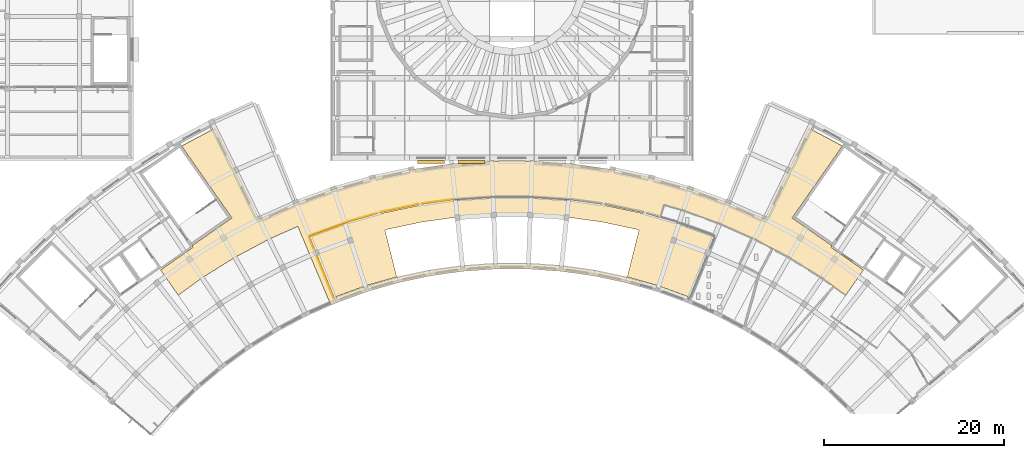
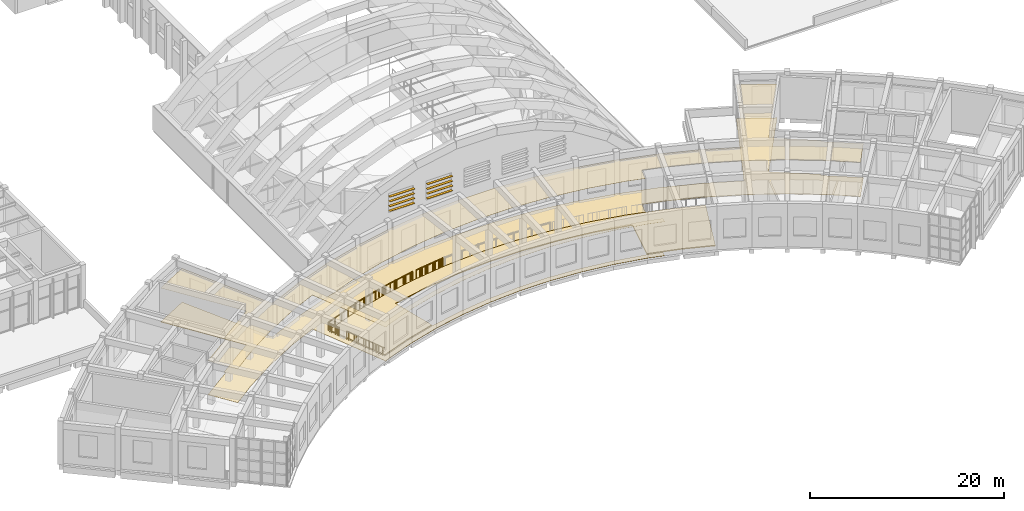
# One storey, part 84 of 94: 8 shading devices, 6 railings, 3 coverings.
"""IFC4 building model written with IfcOpenShell, lengths in metres."""

from ifc_helpers import new_model, si_unit, direction, frame, origin, origin_2d, place, context, subcontext, project, spatial, polyline, rectangle, circle, outline, extrude, material, layer, layer_set, type_object, element, save


model = new_model("IFC4")

# Units and contexts
model_context = context("Model", 3, precision=1e-05, world=origin(), true_north=direction((0.0, 1.0)))
body_context = subcontext(model_context, "Body", "Model", "MODEL_VIEW")
ifc_project = project(units=[si_unit("LENGTHUNIT", "METRE"), si_unit("AREAUNIT", "SQUARE_METRE"), si_unit("VOLUMEUNIT", "CUBIC_METRE"), si_unit("PLANEANGLEUNIT", "RADIAN"), si_unit("MASSUNIT", "GRAM", prefix="KILO")], contexts=[model_context])

# Site, building, storey
site_placement = place(None, origin())
site = spatial("IfcSite", under=ifc_project, at=site_placement, CompositionType="ELEMENT")
building_placement = place(site_placement, origin())
building = spatial("IfcBuilding", under=site, at=building_placement, Name="Lunette Opera House", CompositionType="ELEMENT")
storey_placement = place(building_placement, frame((0.0, 0.0, 22.5)))
storey = spatial("IfcBuildingStorey", under=building, at=storey_placement, Name="L04", CompositionType="ELEMENT", Elevation=22.5)

# Railings
ifc_material_1 = material(Name="Steel S355", Category="steel")
railing_type_1 = type_object("IfcRailingType", Name="DECK GUARD 1100", PredefinedType="GUARDRAIL", material=ifc_material_1)
railing_1_placement = place(storey_placement, frame((76.221923828125, 48.739990234375, 0.0)))
element("IfcRailing", 1, at=railing_1_placement, inside=storey, type_object=railing_type_1, Name="Deck guard 031", PredefinedType="GUARDRAIL", context=body_context, shape_type="SweptSolid", body=[
    extrude(circle(Radius=0.02392578125, at=origin_2d()), frame((0.0, 0.0, 1.076171875), z_axis=(-0.376324058461, 0.926488101933, 0.0), x_axis=(-0.926488101933, -0.376324058461, 0.0)), (0.0, 0.0, 1.0), 0.2470703125),
    extrude(circle(Radius=0.02392578125, at=origin_2d()), frame((-0.093017578125, 0.22900390625, 1.076171875), z_axis=(-0.373184384951, 0.927757196053, 0.0), x_axis=(-0.927757196053, -0.373184384951, 0.0)), (0.0, 0.0, 1.0), 0.49267578125),
    extrude(circle(Radius=0.02392578125, at=origin_2d()), frame((-0.27685546875, 0.68603515625, 1.076171875), z_axis=(-0.376324058461, 0.926488101933, 0.0), x_axis=(-0.926488101933, -0.376324058461, 0.0)), (0.0, 0.0, 1.0), 0.2470703125),
    extrude(circle(Radius=0.02392578125, at=origin_2d()), frame((-0.369873046875, 0.9150390625, 1.076171875), z_axis=(-0.372925120859, 0.92786144129, 0.0), x_axis=(-0.92786144129, -0.372925120859, 0.0)), (0.0, 0.0, 1.0), 0.246826171875),
    extrude(circle(Radius=0.02392578125, at=origin_2d()), frame((-0.4619140625, 1.14404296875, 1.076171875), z_axis=(-0.377706221715, 0.925925488405, 0.0), x_axis=(-0.925925488405, -0.377706221715, 0.0)), (0.0, 0.0, 1.0), 0.246337890625),
    extrude(circle(Radius=0.02392578125, at=origin_2d()), frame((-0.554931640625, 1.3720703125, 1.076171875), z_axis=(-0.372925120859, 0.92786144129, 0.0), x_axis=(-0.92786144129, -0.372925120859, 0.0)), (0.0, 0.0, 1.0), 0.49365234375),
    extrude(circle(Radius=0.02392578125, at=origin_2d()), frame((-0.739013671875, 1.830078125, 1.076171875), z_axis=(-0.377706221715, 0.925925488405, 0.0), x_axis=(-0.925925488405, -0.377706221715, 0.0)), (0.0, 0.0, 1.0), 0.246337890625),
    extrude(circle(Radius=0.02392578125, at=origin_2d()), frame((-0.83203125, 2.05810546875, 1.076171875), z_axis=(-0.372073028394, 0.928203459131, 0.0), x_axis=(-0.928203459131, -0.372073028394, 0.0)), (0.0, 0.0, 1.0), 0.246826171875),
    extrude(circle(Radius=0.02392578125, at=origin_2d()), frame((-0.923828125, 2.287109375, 1.076171875), z_axis=(-0.376324058461, 0.926488101933, 0.0), x_axis=(-0.926488101933, -0.376324058461, 0.0)), (0.0, 0.0, 1.0), 0.2470703125),
    extrude(circle(Radius=0.02392578125, at=origin_2d()), frame((-1.016845703125, 2.51611328125, 1.076171875), z_axis=(-0.373782636137, 0.927516329194, 0.0), x_axis=(-0.927516329194, -0.373782636137, 0.0)), (0.0, 0.0, 1.0), 0.492431640625),
    extrude(circle(Radius=0.02392578125, at=origin_2d()), frame((-1.200927734375, 2.972900390625, 1.076171875), z_axis=(-0.376324058461, 0.926488101933, 0.0), x_axis=(-0.926488101933, -0.376324058461, 0.0)), (0.0, 0.0, 1.0), 0.2470703125),
    extrude(circle(Radius=0.02392578125, at=origin_2d()), frame((-1.2939453125, 3.201904296875, 1.076171875), z_axis=(-0.372925120859, 0.92786144129, 0.0), x_axis=(-0.92786144129, -0.372925120859, 0.0)), (0.0, 0.0, 1.0), 0.246826171875),
    extrude(circle(Radius=0.02392578125, at=origin_2d()), frame((-1.385986328125, 3.430908203125, 1.076171875), z_axis=(-0.377706221715, 0.925925488405, 0.0), x_axis=(-0.925925488405, -0.377706221715, 0.0)), (0.0, 0.0, 1.0), 0.246337890625),
    extrude(circle(Radius=0.02392578125, at=origin_2d()), frame((-1.47900390625, 3.658935546875, 1.076171875), z_axis=(-0.372499192388, 0.928032516494, 0.0), x_axis=(-0.928032516494, -0.372499192388, 0.0)), (0.0, 0.0, 1.0), 0.493408203125),
    extrude(circle(Radius=0.02392578125, at=origin_2d()), frame((-1.662841796875, 4.116943359375, 1.076171875), z_axis=(-0.377706221715, 0.925925488405, 0.0), x_axis=(-0.925925488405, -0.377706221715, 0.0)), (0.0, 0.0, 1.0), 0.246337890625),
    extrude(circle(Radius=0.02392578125, at=origin_2d()), frame((-1.755859375, 4.344970703125, 1.076171875), z_axis=(-0.372925120859, 0.92786144129, 0.0), x_axis=(-0.92786144129, -0.372925120859, 0.0)), (0.0, 0.0, 1.0), 0.246826171875),
    extrude(circle(Radius=0.02099609375, at=origin_2d()), origin(), (0.0, 0.0, 1.0), 1.052001953125),
    extrude(circle(Radius=0.02099609375, at=origin_2d()), frame((-0.093017578125, 0.22900390625, 0.0)), (0.0, 0.0, 1.0), 1.052001953125),
    extrude(circle(Radius=0.02099609375, at=origin_2d()), frame((-0.27685546875, 0.68603515625, 0.0)), (0.0, 0.0, 1.0), 1.052001953125),
    extrude(circle(Radius=0.02099609375, at=origin_2d()), frame((-0.369873046875, 0.9150390625, 0.0)), (0.0, 0.0, 1.0), 1.052001953125),
    extrude(circle(Radius=0.02099609375, at=origin_2d()), frame((-0.4619140625, 1.14404296875, 0.0)), (0.0, 0.0, 1.0), 1.052001953125),
    extrude(circle(Radius=0.02099609375, at=origin_2d()), frame((-0.554931640625, 1.3720703125, 0.0)), (0.0, 0.0, 1.0), 1.052001953125),
    extrude(circle(Radius=0.02099609375, at=origin_2d()), frame((-0.739013671875, 1.830078125, 0.0)), (0.0, 0.0, 1.0), 1.052001953125),
    extrude(circle(Radius=0.02099609375, at=origin_2d()), frame((-0.83203125, 2.05810546875, 0.0)), (0.0, 0.0, 1.0), 1.052001953125),
    extrude(circle(Radius=0.02099609375, at=origin_2d()), frame((-0.923828125, 2.287109375, 0.0)), (0.0, 0.0, 1.0), 1.052001953125),
    extrude(circle(Radius=0.02099609375, at=origin_2d()), frame((-1.016845703125, 2.51611328125, 0.0)), (0.0, 0.0, 1.0), 1.052001953125),
    extrude(circle(Radius=0.02099609375, at=origin_2d()), frame((-1.200927734375, 2.972900390625, 0.0)), (0.0, 0.0, 1.0), 1.052001953125),
    extrude(circle(Radius=0.02099609375, at=origin_2d()), frame((-1.2939453125, 3.201904296875, 0.0)), (0.0, 0.0, 1.0), 1.052001953125),
    extrude(circle(Radius=0.02099609375, at=origin_2d()), frame((-1.385986328125, 3.430908203125, 0.0)), (0.0, 0.0, 1.0), 1.052001953125),
    extrude(circle(Radius=0.02099609375, at=origin_2d()), frame((-1.47900390625, 3.658935546875, 0.0)), (0.0, 0.0, 1.0), 1.052001953125),
    extrude(circle(Radius=0.02099609375, at=origin_2d()), frame((-1.662841796875, 4.116943359375, 0.0)), (0.0, 0.0, 1.0), 1.052001953125),
    extrude(circle(Radius=0.02099609375, at=origin_2d()), frame((-1.755859375, 4.344970703125, 0.0)), (0.0, 0.0, 1.0), 1.052001953125),
    extrude(circle(Radius=0.02099609375, at=origin_2d()), frame((-1.847900390625, 4.573974609375, 0.0)), (0.0, 0.0, 1.0), 1.052001953125),
])
railing_2_placement = place(storey_placement, frame((74.00390625, 54.22900390625, 0.0)))
element("IfcRailing", 2, at=railing_2_placement, inside=storey, type_object=railing_type_1, Name="Deck guard 032", PredefinedType="GUARDRAIL", context=body_context, shape_type="SweptSolid", body=[
    extrude(circle(Radius=0.02392578125, at=origin_2d()), frame((0.0, 0.0, 1.076171875), z_axis=(-0.372073028394, 0.928203459131, 0.0), x_axis=(-0.928203459131, -0.372073028394, 0.0)), (0.0, 0.0, 1.0), 0.246826171875),
    extrude(circle(Radius=0.02392578125, at=origin_2d()), frame((-0.091796875, 0.22900390625, 1.076171875), z_axis=(-0.377706221715, 0.925925488405, 0.0), x_axis=(-0.925925488405, -0.377706221715, 0.0)), (0.0, 0.0, 1.0), 0.246337890625),
    extrude(circle(Radius=0.02392578125, at=origin_2d()), frame((-0.184814453125, 0.45703125, 1.076171875), z_axis=(-0.372925120859, 0.92786144129, 0.0), x_axis=(-0.92786144129, -0.372925120859, 0.0)), (0.0, 0.0, 1.0), 0.49365234375),
    extrude(circle(Radius=0.02392578125, at=origin_2d()), frame((-0.368896484375, 0.9150390625, 1.076171875), z_axis=(-0.377706221715, 0.925925488405, 0.0), x_axis=(-0.925925488405, -0.377706221715, 0.0)), (0.0, 0.0, 1.0), 0.246337890625),
    extrude(circle(Radius=0.02099609375, at=origin_2d()), origin(), (0.0, 0.0, 1.0), 1.052001953125),
    extrude(circle(Radius=0.02099609375, at=origin_2d()), frame((-0.091796875, 0.22900390625, 0.0)), (0.0, 0.0, 1.0), 1.052001953125),
    extrude(circle(Radius=0.02099609375, at=origin_2d()), frame((-0.184814453125, 0.45703125, 0.0)), (0.0, 0.0, 1.0), 1.052001953125),
    extrude(circle(Radius=0.02099609375, at=origin_2d()), frame((-0.368896484375, 0.9150390625, 0.0)), (0.0, 0.0, 1.0), 1.052001953125),
    extrude(circle(Radius=0.02099609375, at=origin_2d()), frame((-0.4619140625, 1.14306640625, 0.0)), (0.0, 0.0, 1.0), 1.052001953125),
])
railing_3_placement = place(storey_placement, frame((77.674072265625, 57.2080078125, 0.0)))
element("IfcRailing", 3, at=railing_3_placement, inside=storey, type_object=railing_type_1, Name="Deck guard 033", PredefinedType="GUARDRAIL", context=body_context, shape_type="SweptSolid", body=[
    extrude(circle(Radius=0.02392578125, at=origin_2d()), frame((0.0, 0.0, 1.076171875), z_axis=(0.961126524003, 0.276108320878, 0.0), x_axis=(-0.276108320878, 0.961126524003, 0.0)), (0.0, 0.0, 1.0), 1.231689453125),
    extrude(circle(Radius=0.02392578125, at=origin_2d()), frame((1.183837890625, 0.340087890625, 1.076171875), z_axis=(0.96241646915, 0.2715778708, 0.0), x_axis=(-0.2715778708, 0.96241646915, 0.0)), (0.0, 0.0, 1.0), 0.246337890625),
    extrude(circle(Radius=0.02392578125, at=origin_2d()), frame((1.4208984375, 0.406982421875, 1.076171875), z_axis=(0.961180491543, 0.27592039192, 0.0), x_axis=(-0.27592039192, 0.961180491543, 0.0)), (0.0, 0.0, 1.0), 1.478515625),
    extrude(circle(Radius=0.02392578125, at=origin_2d()), frame((2.842041015625, 0.81494140625, 1.076171875), z_axis=(0.961054480159, 0.276358980614, 0.0), x_axis=(-0.276358980614, 0.961054480159, 0.0)), (0.0, 0.0, 1.0), 0.491943359375),
    extrude(circle(Radius=0.02099609375, at=origin_2d()), origin(), (0.0, 0.0, 1.0), 1.052001953125),
    extrude(circle(Radius=0.02099609375, at=origin_2d()), frame((0.591796875, 0.169921875, 0.0)), (0.0, 0.0, 1.0), 1.052001953125),
    extrude(circle(Radius=0.02099609375, at=origin_2d()), frame((1.183837890625, 0.340087890625, 0.0)), (0.0, 0.0, 1.0), 1.052001953125),
    extrude(circle(Radius=0.02099609375, at=origin_2d()), frame((1.4208984375, 0.406982421875, 0.0)), (0.0, 0.0, 1.0), 1.052001953125),
    extrude(circle(Radius=0.02099609375, at=origin_2d()), frame((2.13134765625, 0.61083984375, 0.0)), (0.0, 0.0, 1.0), 1.052001953125),
    extrude(circle(Radius=0.02099609375, at=origin_2d()), frame((2.842041015625, 0.81494140625, 0.0)), (0.0, 0.0, 1.0), 1.052001953125),
    extrude(circle(Radius=0.02099609375, at=origin_2d()), frame((3.31494140625, 0.950927734375, 0.0)), (0.0, 0.0, 1.0), 1.052001953125),
])
railing_4_placement = place(storey_placement, frame((81.468017578125, 58.2958984375, 0.0)))
element("IfcRailing", 4, at=railing_4_placement, inside=storey, type_object=railing_type_1, Name="Deck guard 034", PredefinedType="GUARDRAIL", context=body_context, shape_type="SweptSolid", body=[
    extrude(circle(Radius=0.02392578125, at=origin_2d()), frame((0.0, 0.0, 1.076171875), z_axis=(0.978307227907, 0.207159281289, 0.0), x_axis=(-0.207159281289, 0.978307227907, 0.0)), (0.0, 0.0, 1.0), 0.246337890625),
    extrude(circle(Radius=0.02392578125, at=origin_2d()), frame((0.240966796875, 0.051025390625, 1.076171875), z_axis=(0.977497024317, 0.210949205856, 0.0), x_axis=(-0.210949205856, 0.977497024317, 0.0)), (0.0, 0.0, 1.0), 0.24658203125),
    extrude(circle(Radius=0.02392578125, at=origin_2d()), frame((0.48193359375, 0.10302734375, 1.076171875), z_axis=(0.978315732834, 0.207119112806, 0.0), x_axis=(-0.207119112806, 0.978315732834, 0.0)), (0.0, 0.0, 1.0), 1.231689453125),
    extrude(circle(Radius=0.02392578125, at=origin_2d()), frame((1.68701171875, 0.358154296875, 1.076171875), z_axis=(0.977497024317, 0.210949205856, 0.0), x_axis=(-0.210949205856, 0.977497024317, 0.0)), (0.0, 0.0, 1.0), 0.24658203125),
    extrude(circle(Radius=0.02392578125, at=origin_2d()), frame((1.927978515625, 0.41015625, 1.076171875), z_axis=(0.978368028458, 0.206871943217, 0.0), x_axis=(-0.206871943217, 0.978368028458, 0.0)), (0.0, 0.0, 1.0), 0.9853515625),
    extrude(circle(Radius=0.02392578125, at=origin_2d()), frame((2.89208984375, 0.614013671875, 1.076171875), z_axis=(0.977497024317, 0.210949205856, 0.0), x_axis=(-0.210949205856, 0.977497024317, 0.0)), (0.0, 0.0, 1.0), 0.24658203125),
    extrude(circle(Radius=0.02392578125, at=origin_2d()), frame((3.133056640625, 0.666015625, 1.076171875), z_axis=(0.97825040172, 0.207427460899, 0.0), x_axis=(-0.207427460899, 0.97825040172, 0.0)), (0.0, 0.0, 1.0), 0.738037109375),
    extrude(circle(Radius=0.02392578125, at=origin_2d()), frame((3.85498046875, 0.819091796875, 1.076171875), z_axis=(0.978560043259, 0.205961748235, 0.0), x_axis=(-0.205961748235, 0.978560043259, 0.0)), (0.0, 0.0, 1.0), 0.25244140625),
    extrude(circle(Radius=0.02099609375, at=origin_2d()), origin(), (0.0, 0.0, 1.0), 1.052001953125),
    extrude(circle(Radius=0.02099609375, at=origin_2d()), frame((0.240966796875, 0.051025390625, 0.0)), (0.0, 0.0, 1.0), 1.052001953125),
    extrude(circle(Radius=0.02099609375, at=origin_2d()), frame((0.48193359375, 0.10302734375, 0.0)), (0.0, 0.0, 1.0), 1.052001953125),
    extrude(circle(Radius=0.02099609375, at=origin_2d()), frame((1.08447265625, 0.23046875, 0.0)), (0.0, 0.0, 1.0), 1.052001953125),
    extrude(circle(Radius=0.02099609375, at=origin_2d()), frame((1.68701171875, 0.358154296875, 0.0)), (0.0, 0.0, 1.0), 1.052001953125),
    extrude(circle(Radius=0.02099609375, at=origin_2d()), frame((1.927978515625, 0.41015625, 0.0)), (0.0, 0.0, 1.0), 1.052001953125),
    extrude(circle(Radius=0.02099609375, at=origin_2d()), frame((2.89208984375, 0.614013671875, 0.0)), (0.0, 0.0, 1.0), 1.052001953125),
    extrude(circle(Radius=0.02099609375, at=origin_2d()), frame((3.133056640625, 0.666015625, 0.0)), (0.0, 0.0, 1.0), 1.052001953125),
    extrude(circle(Radius=0.02099609375, at=origin_2d()), frame((3.85498046875, 0.819091796875, 0.0)), (0.0, 0.0, 1.0), 1.052001953125),
    extrude(circle(Radius=0.02099609375, at=origin_2d()), frame((4.10205078125, 0.87109375, 0.0)), (0.0, 0.0, 1.0), 1.052001953125),
])
railing_5_placement = place(storey_placement, frame((86.05810546875, 59.236083984375, 0.0)))
element("IfcRailing", 5, at=railing_5_placement, inside=storey, type_object=railing_type_1, Name="Deck guard 035", PredefinedType="GUARDRAIL", context=body_context, shape_type="SweptSolid", body=[
    extrude(circle(Radius=0.02392578125, at=origin_2d()), frame((0.0, 0.0, 1.076171875), z_axis=(0.990458469485, 0.137811538797, 0.0), x_axis=(-0.137811538797, 0.990458469485, 0.0)), (0.0, 0.0, 1.0), 0.492431640625),
    extrude(circle(Radius=0.02392578125, at=origin_2d()), frame((0.48779296875, 0.06787109375, 1.076171875), z_axis=(0.989790506483, 0.142529832934, 0.0), x_axis=(-0.142529832934, 0.989790506483, 0.0)), (0.0, 0.0, 1.0), 0.24658203125),
    extrude(circle(Radius=0.02392578125, at=origin_2d()), frame((0.73193359375, 0.10302734375, 1.076171875), z_axis=(0.990430162502, 0.138014829662, 0.0), x_axis=(-0.138014829662, 0.990430162502, 0.0)), (0.0, 0.0, 1.0), 0.49169921875),
    extrude(circle(Radius=0.02392578125, at=origin_2d()), frame((1.218994140625, 0.1708984375, 1.076171875), z_axis=(0.989909818752, 0.141698802884, 0.0), x_axis=(-0.141698802884, 0.989909818752, 0.0)), (0.0, 0.0, 1.0), 0.246337890625),
    extrude(circle(Radius=0.02392578125, at=origin_2d()), frame((1.462890625, 0.205810546875, 1.076171875), z_axis=(0.990419611364, 0.138090526201, 0.0), x_axis=(-0.138090526201, 0.990419611364, 0.0)), (0.0, 0.0, 1.0), 0.739013671875),
    extrude(circle(Radius=0.02392578125, at=origin_2d()), frame((2.19482421875, 0.307861328125, 1.076171875), z_axis=(0.989790506483, 0.142529832934, 0.0), x_axis=(-0.142529832934, 0.989790506483, 0.0)), (0.0, 0.0, 1.0), 0.24658203125),
    extrude(circle(Radius=0.02392578125, at=origin_2d()), frame((2.43896484375, 0.343017578125, 1.076171875), z_axis=(0.990467877374, 0.137743906908, 0.0), x_axis=(-0.137743906908, 0.990467877374, 0.0)), (0.0, 0.0, 1.0), 0.49267578125),
    extrude(circle(Radius=0.02392578125, at=origin_2d()), frame((2.927001953125, 0.410888671875, 1.076171875), z_axis=(0.989909818752, 0.141698802884, 0.0), x_axis=(-0.141698802884, 0.989909818752, 0.0)), (0.0, 0.0, 1.0), 0.246337890625),
    extrude(circle(Radius=0.02392578125, at=origin_2d()), frame((3.1708984375, 0.44580078125, 1.076171875), z_axis=(0.990322681068, 0.138783959309, 0.0), x_axis=(-0.138783959309, 0.990322681068, 0.0)), (0.0, 0.0, 1.0), 0.246337890625),
    extrude(circle(Radius=0.02099609375, at=origin_2d()), origin(), (0.0, 0.0, 1.0), 1.052001953125),
    extrude(circle(Radius=0.02099609375, at=origin_2d()), frame((0.48779296875, 0.06787109375, 0.0)), (0.0, 0.0, 1.0), 1.052001953125),
    extrude(circle(Radius=0.02099609375, at=origin_2d()), frame((0.73193359375, 0.10302734375, 0.0)), (0.0, 0.0, 1.0), 1.052001953125),
    extrude(circle(Radius=0.02099609375, at=origin_2d()), frame((1.218994140625, 0.1708984375, 0.0)), (0.0, 0.0, 1.0), 1.052001953125),
    extrude(circle(Radius=0.02099609375, at=origin_2d()), frame((1.462890625, 0.205810546875, 0.0)), (0.0, 0.0, 1.0), 1.052001953125),
    extrude(circle(Radius=0.02099609375, at=origin_2d()), frame((2.19482421875, 0.307861328125, 0.0)), (0.0, 0.0, 1.0), 1.052001953125),
    extrude(circle(Radius=0.02099609375, at=origin_2d()), frame((2.43896484375, 0.343017578125, 0.0)), (0.0, 0.0, 1.0), 1.052001953125),
    extrude(circle(Radius=0.02099609375, at=origin_2d()), frame((2.927001953125, 0.410888671875, 0.0)), (0.0, 0.0, 1.0), 1.052001953125),
    extrude(circle(Radius=0.02099609375, at=origin_2d()), frame((3.1708984375, 0.44580078125, 0.0)), (0.0, 0.0, 1.0), 1.052001953125),
    extrude(circle(Radius=0.02099609375, at=origin_2d()), frame((3.414794921875, 0.47998046875, 0.0)), (0.0, 0.0, 1.0), 1.052001953125),
])

# Covering
ifc_material_2 = material(Name="Bitumen membrane on mineral wool")
ifc_layer_1 = layer(ifc_material_2, 0.1201171875)
ifc_layer_set_1 = layer_set([ifc_layer_1], Name="Bitumen membrane on mineral wool")
covering_type_1 = type_object("IfcCoveringType", Name="FLAT ROOF MEMBRANE 120", PredefinedType="ROOFING", material=ifc_layer_set_1)
covering_1_placement = place(storey_placement, origin())
element("IfcCovering", 6, at=covering_1_placement, inside=storey, type_object=covering_type_1, Name="Flat roof membrane FC L03 31", PredefinedType="ROOFING", context=body_context, shape_type="SweptSolid", body=[
    extrude(outline(polyline([(83.2099609375, 51.092041015625), (79.72705078125, 50.093017578125), (79.72509765625, 50.093017578125), (79.72412109375, 50.092041015625), (79.721923828125, 50.092041015625), (76.3359375, 48.85888671875), (73.615966796875, 55.590087890625), (77.48095703125, 56.99609375), (81.501953125, 58.14990234375), (85.593017578125, 59.01904296875), (89.735107421875, 59.60107421875), (93.907958984375, 59.89306640625), (98.092041015625, 59.89306640625), (102.264892578125, 59.60107421875), (106.406982421875, 59.01904296875), (110.498046875, 58.14990234375), (114.51904296875, 56.99609375), (118.384033203125, 55.590087890625), (115.6640625, 48.85888671875), (112.278076171875, 50.092041015625), (112.27587890625, 50.092041015625), (112.27490234375, 50.093017578125), (112.27294921875, 50.093017578125), (108.7900390625, 51.092041015625), (110.080078125, 56.264892578125), (110.080078125, 56.27001953125), (110.0810546875, 56.27490234375), (110.0810546875, 56.280029296875), (110.080078125, 56.284912109375), (110.0791015625, 56.2900390625), (110.077880859375, 56.294921875), (110.075927734375, 56.299072265625), (110.072998046875, 56.302978515625), (110.071044921875, 56.30810546875), (110.06689453125, 56.31103515625), (110.06396484375, 56.31494140625), (110.06005859375, 56.318115234375), (110.054931640625, 56.321044921875), (110.051025390625, 56.322998046875), (110.0458984375, 56.324951171875), (110.041015625, 56.325927734375), (106.08203125, 57.16796875), (106.0791015625, 57.1689453125), (102.070068359375, 57.73193359375), (102.06591796875, 57.73193359375), (98.027099609375, 58.014892578125), (98.02392578125, 58.014892578125), (93.97607421875, 58.014892578125), (93.972900390625, 58.014892578125), (89.93408203125, 57.73193359375), (89.929931640625, 57.73193359375), (85.9208984375, 57.1689453125), (85.91796875, 57.16796875), (81.958984375, 56.325927734375), (81.9541015625, 56.324951171875), (81.948974609375, 56.322998046875), (81.945068359375, 56.321044921875), (81.93994140625, 56.318115234375), (81.93603515625, 56.31494140625), (81.93310546875, 56.31103515625), (81.928955078125, 56.30810546875), (81.927001953125, 56.302978515625), (81.924072265625, 56.299072265625), (81.922119140625, 56.294921875), (81.9208984375, 56.2900390625), (81.919921875, 56.284912109375), (81.9189453125, 56.280029296875), (81.9189453125, 56.27490234375), (81.919921875, 56.27001953125), (81.919921875, 56.264892578125), (83.2099609375, 51.092041015625)])), origin(), (0.0, 0.0, 1.0), 0.1201171875),
])

# Railing
ifc_material_3 = material(Name="Steel S355", Category="steel")
railing_type_2 = type_object("IfcRailingType", Name="OPENING GUARD 1100", PredefinedType="GUARDRAIL", material=ifc_material_3)
railing_6_placement = place(storey_placement, frame((73.52392578125, 55.631103515625, 0.0)))
element("IfcRailing", 7, at=railing_6_placement, inside=storey, type_object=railing_type_2, Name="Floor opening guard", PredefinedType="GUARDRAIL", context=body_context, shape_type="SweptSolid", body=[
    extrude(circle(Radius=0.02392578125, at=origin_2d()), frame((0.0, 0.0, 1.076171875), z_axis=(0.939720204592, 0.34194434793, 0.0), x_axis=(-0.34194434793, 0.939720204592, 0.0)), (0.0, 0.0, 1.0), 4.1875),
    extrude(circle(Radius=0.02099609375, at=origin_2d()), origin(), (0.0, 0.0, 1.0), 1.052001953125),
    extrude(circle(Radius=0.02099609375, at=origin_2d()), frame((0.98388671875, 0.35791015625, 0.0)), (0.0, 0.0, 1.0), 1.052001953125),
    extrude(circle(Radius=0.02099609375, at=origin_2d()), frame((1.967529296875, 0.7158203125, 0.0)), (0.0, 0.0, 1.0), 1.052001953125),
    extrude(circle(Radius=0.02099609375, at=origin_2d()), frame((2.951171875, 1.073974609375, 0.0)), (0.0, 0.0, 1.0), 1.052001953125),
    extrude(circle(Radius=0.02099609375, at=origin_2d()), frame((3.93505859375, 1.431884765625, 0.0)), (0.0, 0.0, 1.0), 1.052001953125),
])

# Shading devices
ifc_material_4 = material(Name="Powder-coated aluminium", Category="aluminium")
ifc_layer_2 = layer(ifc_material_4, 0.0400390625)
ifc_layer_set_2 = layer_set([ifc_layer_2], Name="Powder-coated aluminium")
shading_device_type = type_object("IfcShadingDeviceType", Name="SOLAR LOUVRE BLADE 300", PredefinedType="JALOUSIE", material=ifc_layer_set_2)
for number, where, z_axis, x_axis, name in (
    (8, (87.0, 63.85009765625, 5.8798828125), (0.0, 0.0, 1.0), (0.0, -1.0, 0.0), "Sun louvre AU-N2013 1"),
    (9, (87.0, 63.85009765625, 6.47998046875), (0.0, 0.0, 1.0), (0.0, -1.0, 0.0), "Sun louvre AU-N2013 2"),
    (10, (87.0, 63.85009765625, 7.080078125), (0.0, 0.0, 1.0), (0.0, -1.0, 0.0), "Sun louvre AU-N2013 3"),
    (11, (87.0, 63.85009765625, 7.679931640625), (0.0, 0.0, 1.0), (0.0, -1.0, 0.0), "Sun louvre AU-N2013 4"),
    (12, (91.5, 63.85009765625, 5.8798828125), (0.0, 0.0, 1.0), (0.0, -1.0, 0.0), "Sun louvre AU-N2014 1"),
    (13, (91.5, 63.85009765625, 6.47998046875), (0.0, 0.0, 1.0), (0.0, -1.0, 0.0), "Sun louvre AU-N2014 2"),
    (14, (91.5, 63.85009765625, 7.080078125), (0.0, 0.0, 1.0), (0.0, -1.0, 0.0), "Sun louvre AU-N2014 3"),
    (15, (91.5, 63.85009765625, 7.679931640625), (0.0, 0.0, 1.0), (0.0, -1.0, 0.0), "Sun louvre AU-N2014 4"),
):
    element("IfcShadingDevice", number, at=place(storey_placement, frame(where, z_axis=z_axis, x_axis=x_axis)), inside=storey, type_object=shading_device_type, Name=name, PredefinedType="JALOUSIE", context=body_context, shape_type="SweptSolid", body=[
        extrude(rectangle(XDim=0.300048828125, YDim=3.0, at=origin_2d()), origin(), (0.0, 0.0, 1.0), 0.0400390625),
    ])

# Coverings
ifc_material_5 = material(Name="Mineral fibre board")
ifc_layer_3 = layer(ifc_material_5, 0.014892578125)
ifc_layer_set_3 = layer_set([ifc_layer_3], Name="Mineral fibre board")
covering_type_2 = type_object("IfcCoveringType", Name="SUSPENDED ACOUSTIC CEILING 15", PredefinedType="CEILING", material=ifc_layer_set_3)
covering_2_placement = place(storey_placement, frame((0.0, 0.0, 4.284912109375)))
element("IfcCovering", 16, at=covering_2_placement, inside=storey, type_object=covering_type_2, Name="Ceiling Restaurant", PredefinedType="CEILING", context=body_context, shape_type="SweptSolid", body=[
    extrude(outline(polyline([(111.48291015625, 62.09912109375), (115.777099609375, 60.867919921875), (119.97509765625, 59.340087890625), (124.055908203125, 57.52294921875), (128.966064453125, 67.589111328125), (132.6689453125, 65.6201171875), (127.0859375, 57.64501953125), (131.509033203125, 54.548095703125), (131.39404296875, 54.384033203125), (134.998046875, 51.860107421875), (133.0390625, 49.06103515625), (131.697998046875, 50.035888671875), (130.389892578125, 50.986083984375), (126.75, 53.260986328125), (124.9130859375, 54.237060546875), (122.9599609375, 55.27587890625), (119.0380859375, 57.02197265625), (115.0048828125, 58.489990234375), (112.847900390625, 59.10791015625), (112.43701171875, 57.6669921875), (110.514892578125, 58.218017578125), (106.4189453125, 59.087890625), (102.27197265625, 59.6708984375), (98.093994140625, 59.962890625), (93.906005859375, 59.962890625), (89.72802734375, 59.6708984375), (85.5810546875, 59.087890625), (81.485107421875, 58.218017578125), (77.458984375, 57.06298828125), (73.52392578125, 55.631103515625), (76.2958984375, 48.77001953125), (79.74609375, 50.02587890625), (83.27490234375, 51.0380859375), (86.865966796875, 51.801025390625), (90.501953125, 52.31201171875), (94.1640625, 52.568115234375), (97.8359375, 52.568115234375), (101.498046875, 52.31201171875), (105.134033203125, 51.801025390625), (108.72509765625, 51.0380859375), (110.409912109375, 50.554931640625), (110.24609375, 49.97802734375), (108.580078125, 50.455078125), (105.030029296875, 51.2099609375), (101.43505859375, 51.715087890625), (97.81494140625, 51.968017578125), (94.18505859375, 51.968017578125), (90.56494140625, 51.715087890625), (86.969970703125, 51.2099609375), (83.419921875, 50.455078125), (79.930908203125, 49.455078125), (76.52001953125, 48.214111328125), (75.904052734375, 47.93994140625), (72.23291015625, 56.697998046875), (69.0400390625, 55.27587890625), (65.25, 53.260986328125), (61.610107421875, 50.986083984375), (58.9609375, 49.06103515625), (57.001953125, 51.860107421875), (60.60595703125, 54.384033203125), (60.490966796875, 54.548095703125), (64.9140625, 57.64501953125), (59.3310546875, 65.6201171875), (63.033935546875, 67.589111328125), (67.944091796875, 57.52294921875), (72.02490234375, 59.340087890625), (76.222900390625, 60.867919921875), (80.51708984375, 62.09912109375), (84.886962890625, 63.028076171875), (89.31005859375, 63.64892578125), (93.76611328125, 63.9609375), (98.23388671875, 63.9609375), (102.68994140625, 63.64892578125), (107.113037109375, 63.028076171875), (111.48291015625, 62.09912109375)])), origin(), (0.0, 0.0, 1.0), 0.01513671875),
])
ifc_material_6 = material(Name="Timber", Category="wood")
ifc_layer_4 = layer(ifc_material_6, 0.0400390625)
ifc_layer_set_4 = layer_set([ifc_layer_4], Name="Timber")
covering_type_3 = type_object("IfcCoveringType", Name="TIMBER FLOOR FINISH 40", PredefinedType="FLOORING", material=ifc_layer_set_4)
covering_3_placement = place(storey_placement, origin())
element("IfcCovering", 17, at=covering_3_placement, inside=storey, type_object=covering_type_3, Name="Floor finish Restaurant", PredefinedType="FLOORING", context=body_context, shape_type="SweptSolid", body=[
    extrude(outline(polyline([(111.48291015625, 62.09912109375), (115.777099609375, 60.867919921875), (119.97509765625, 59.340087890625), (124.055908203125, 57.52294921875), (128.966064453125, 67.589111328125), (132.6689453125, 65.6201171875), (127.0859375, 57.64501953125), (131.509033203125, 54.548095703125), (131.39404296875, 54.384033203125), (134.998046875, 51.860107421875), (133.0390625, 49.06103515625), (131.697998046875, 50.035888671875), (130.389892578125, 50.986083984375), (126.75, 53.260986328125), (124.9130859375, 54.237060546875), (122.9599609375, 55.27587890625), (119.0380859375, 57.02197265625), (115.0048828125, 58.489990234375), (112.847900390625, 59.10791015625), (112.43701171875, 57.6669921875), (110.514892578125, 58.218017578125), (106.4189453125, 59.087890625), (102.27197265625, 59.6708984375), (98.093994140625, 59.962890625), (93.906005859375, 59.962890625), (89.72802734375, 59.6708984375), (85.5810546875, 59.087890625), (81.485107421875, 58.218017578125), (77.458984375, 57.06298828125), (73.52392578125, 55.631103515625), (76.2958984375, 48.77001953125), (79.74609375, 50.02587890625), (83.27490234375, 51.0380859375), (86.865966796875, 51.801025390625), (90.501953125, 52.31201171875), (94.1640625, 52.568115234375), (97.8359375, 52.568115234375), (101.498046875, 52.31201171875), (105.134033203125, 51.801025390625), (108.72509765625, 51.0380859375), (110.409912109375, 50.554931640625), (110.24609375, 49.97802734375), (108.580078125, 50.455078125), (105.030029296875, 51.2099609375), (101.43505859375, 51.715087890625), (97.81494140625, 51.968017578125), (94.18505859375, 51.968017578125), (90.56494140625, 51.715087890625), (86.969970703125, 51.2099609375), (83.419921875, 50.455078125), (79.930908203125, 49.455078125), (76.52001953125, 48.214111328125), (75.904052734375, 47.93994140625), (72.23291015625, 56.697998046875), (69.0400390625, 55.27587890625), (65.25, 53.260986328125), (61.610107421875, 50.986083984375), (58.9609375, 49.06103515625), (57.001953125, 51.860107421875), (60.60595703125, 54.384033203125), (60.490966796875, 54.548095703125), (64.9140625, 57.64501953125), (59.3310546875, 65.6201171875), (63.033935546875, 67.589111328125), (67.944091796875, 57.52294921875), (72.02490234375, 59.340087890625), (76.222900390625, 60.867919921875), (80.51708984375, 62.09912109375), (84.886962890625, 63.028076171875), (89.31005859375, 63.64892578125), (93.76611328125, 63.9609375), (98.23388671875, 63.9609375), (102.68994140625, 63.64892578125), (107.113037109375, 63.028076171875), (111.48291015625, 62.09912109375)])), origin(), (0.0, 0.0, 1.0), 0.0400390625),
])

save(model, "model.ifc")
